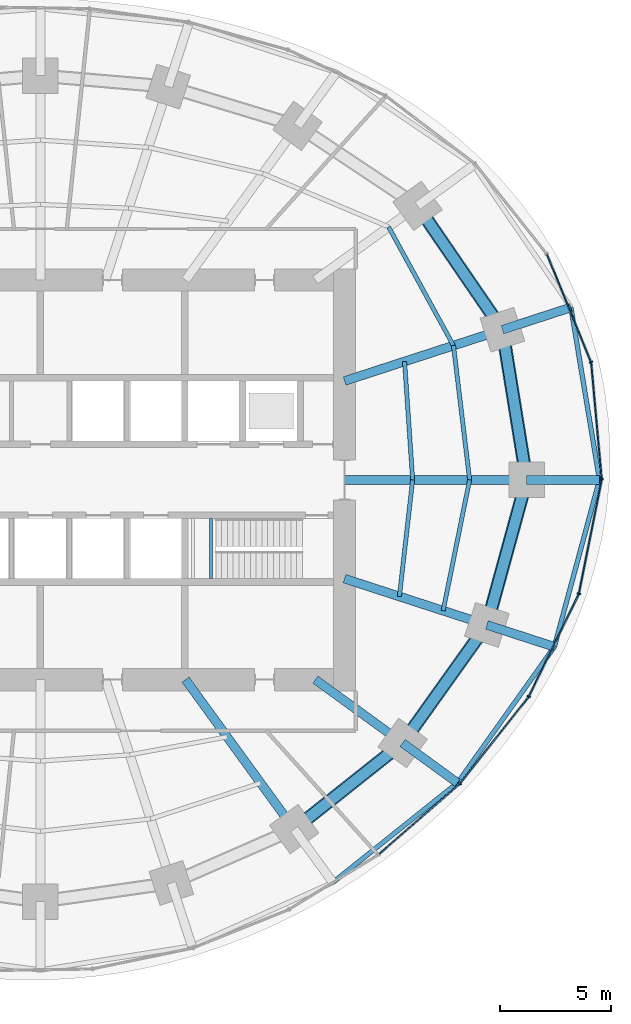
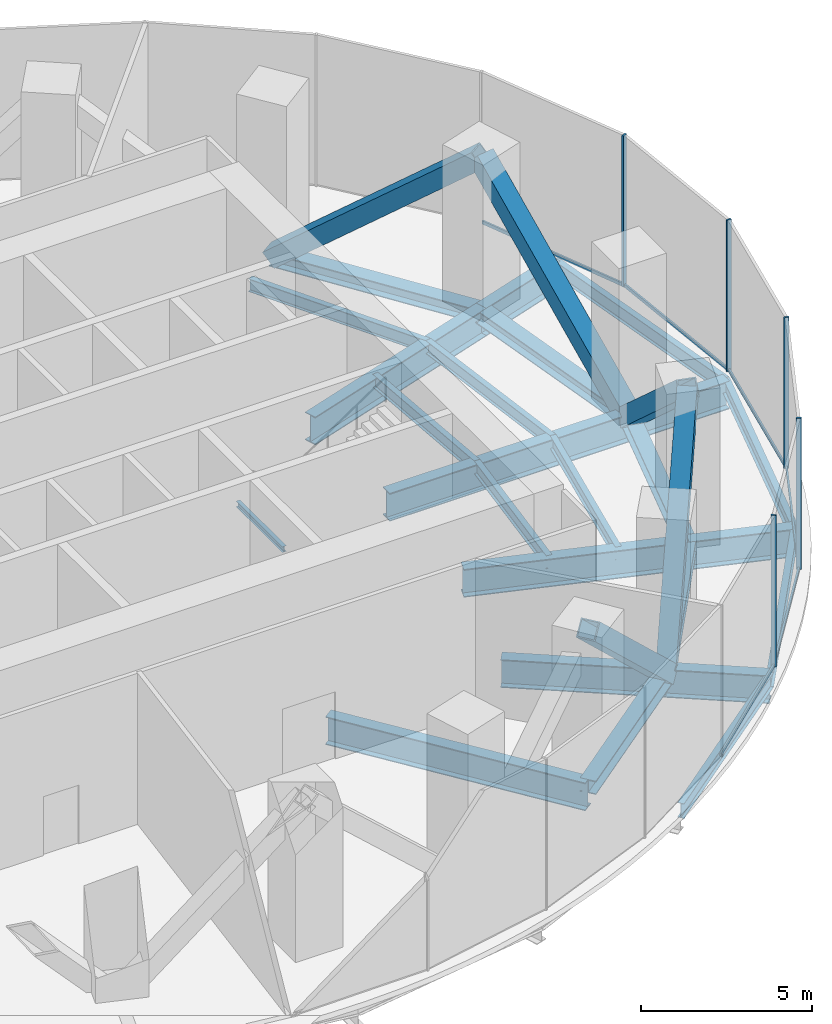
# One storey, part 6 of 14: 21 members, 19 beams, 2 elements without a shape of their own.
"""IFC4 building model written with IfcOpenShell, lengths in metres."""

from ifc_helpers import new_model, si_unit, direction, frame, origin, origin_2d, place, context, subcontext, project, spatial, rectangle, hollow_rectangle, i_section, extrude, material, material_profile, profile_set, type_object, element, aggregate, save


model = new_model("IFC4")

# Units and contexts
model_context = context("Model", 3, precision=1e-05, world=origin(), true_north=direction((0.0, 1.0)))
body_context = subcontext(model_context, "Body", "Model", "MODEL_VIEW")
ifc_project = project(units=[si_unit("LENGTHUNIT", "METRE"), si_unit("AREAUNIT", "SQUARE_METRE"), si_unit("VOLUMEUNIT", "CUBIC_METRE"), si_unit("PLANEANGLEUNIT", "RADIAN"), si_unit("MASSUNIT", "GRAM", prefix="KILO")], contexts=[model_context])

# Site, building, storey
site_placement = place(None, origin())
site = spatial("IfcSite", under=ifc_project, at=site_placement, CompositionType="ELEMENT")
building_placement = place(site_placement, origin())
building = spatial("IfcBuilding", under=site, at=building_placement, Name="Marramba Exchange Tower", CompositionType="ELEMENT")
storey_placement = place(building_placement, frame((0.0, 0.0, 166.5)))
storey = spatial("IfcBuildingStorey", under=building, at=storey_placement, Name="L40", CompositionType="ELEMENT", Elevation=166.5)

# Members
ifc_material_1 = material(Name="Steel AS/NZS 3679.2 grade 300", Category="steel")
ifc_material_profile_1 = material_profile(ifc_material_1, i_section(OverallWidth=0.5, OverallDepth=0.48388671875, WebThickness=0.02490234375, FlangeThickness=0.031982421875, at=origin_2d()), Name="500WC340")
ifc_profile_set_1 = profile_set([ifc_material_profile_1], Name="Steel AS/NZS 3679.2 grade 300")
member_type_1 = type_object("IfcMemberType", Name="Belt truss chord 500WC340", PredefinedType="CHORD", material=ifc_profile_set_1)
member_1_placement = place(storey_placement, frame((21.89990234375, 0.0, -0.44189453125), z_axis=(-0.159384865399, 0.987216523708, 0.0), x_axis=(-0.987216523708, -0.159384865399, 0.0)))
element("IfcMember", 1, at=member_1_placement, inside=storey, type_object=member_type_1, Name="Belt chord L40 TC01-TC02", PredefinedType="CHORD", context=body_context, shape_type="SweptSolid", body=[
    extrude(i_section(OverallWidth=0.5, OverallDepth=0.48388671875, WebThickness=0.02490234375, FlangeThickness=0.031982421875, at=origin_2d()), origin(), (0.0, 0.0, 1.0), 6.8486328125),
])
member_2_placement = place(storey_placement, frame((20.808349609375, 6.760986328125, -0.44189453125), z_axis=(-0.56516002054, 0.824981303535, 0.0), x_axis=(-0.824981303535, -0.56516002054, 0.0)))
element("IfcMember", 2, at=member_2_placement, inside=storey, type_object=member_type_1, Name="Belt chord L40 TC02-TC03", PredefinedType="CHORD", context=body_context, shape_type="SweptSolid", body=[
    extrude(i_section(OverallWidth=0.5, OverallDepth=0.48388671875, WebThickness=0.02490234375, FlangeThickness=0.031982421875, at=origin_2d()), origin(), (0.0, 0.0, 1.0), 6.763671875),
])
member_3_placement = place(storey_placement, frame((11.430419921875, -15.732666015625, -0.44189453125), z_axis=(0.783139438128, 0.621846138887, 0.0), x_axis=(-0.621846138887, 0.783139438128, 0.0)))
element("IfcMember", 3, at=member_3_placement, inside=storey, type_object=member_type_1, Name="Belt chord L40 TC18-TC19", PredefinedType="CHORD", context=body_context, shape_type="SweptSolid", body=[
    extrude(i_section(OverallWidth=0.5, OverallDepth=0.48388671875, WebThickness=0.02490234375, FlangeThickness=0.031982421875, at=origin_2d()), origin(), (0.0, 0.0, 1.0), 6.23779296875),
])
member_4_placement = place(storey_placement, frame((16.3154296875, -11.853759765625, -0.44189453125), z_axis=(0.580637181111, 0.814162430914, 0.0), x_axis=(-0.814162430914, 0.580637181111, 0.0)))
element("IfcMember", 4, at=member_4_placement, inside=storey, type_object=member_type_1, Name="Belt chord L40 TC19-TC20", PredefinedType="CHORD", context=body_context, shape_type="SweptSolid", body=[
    extrude(i_section(OverallWidth=0.5, OverallDepth=0.48388671875, WebThickness=0.02490234375, FlangeThickness=0.031982421875, at=origin_2d()), origin(), (0.0, 0.0, 1.0), 6.5341796875),
])
member_5_placement = place(storey_placement, frame((20.109375, -6.533935546875, -0.44189453125), z_axis=(0.264291166956, 0.964442937176, 0.0), x_axis=(-0.964442937176, 0.264291166956, 0.0)))
element("IfcMember", 5, at=member_5_placement, inside=storey, type_object=member_type_1, Name="Belt chord L40 TC20-TC01", PredefinedType="CHORD", context=body_context, shape_type="SweptSolid", body=[
    extrude(i_section(OverallWidth=0.5, OverallDepth=0.48388671875, WebThickness=0.02490234375, FlangeThickness=0.031982421875, at=origin_2d()), origin(), (0.0, 0.0, 1.0), 6.77490234375),
])
ifc_material_2 = material(Name="Steel AS/NZS 3678 grade 350", Category="steel")
ifc_material_profile_2 = material_profile(ifc_material_2, hollow_rectangle(XDim=0.60009765625, YDim=0.60009765625, WallThickness=0.0400390625, at=origin_2d()), Name="600x600x40BOX")
ifc_profile_set_2 = profile_set([ifc_material_profile_2], Name="Steel AS/NZS 3678 grade 350")
member_type_2 = type_object("IfcMemberType", Name="Belt truss diagonal 600x600x40BOX", PredefinedType="BRACE", material=ifc_profile_set_2)
member_6_placement = place(storey_placement, frame((21.89990234375, 0.0, -0.44189453125), z_axis=(-0.12338791563, 0.764254427988, 0.633001257168), x_axis=(-0.987216523708, -0.159384865399, 0.0)))
element("IfcMember", 6, at=member_6_placement, inside=storey, type_object=member_type_2, Name="Belt truss BT40 diagonal 01", PredefinedType="BRACE", context=body_context, shape_type="SweptSolid", body=[
    extrude(hollow_rectangle(XDim=0.60009765625, YDim=0.60009765625, WallThickness=0.0400390625, at=origin_2d()), origin(), (0.0, 0.0, 1.0), 8.846435546875),
])
member_7_placement = place(storey_placement, frame((20.808349609375, 6.760986328125, 5.157958984375), z_axis=(-0.435320155783, 0.635450096469, -0.63772998743), x_axis=(-0.824981303535, -0.56516002054, 0.0)))
element("IfcMember", 7, at=member_7_placement, inside=storey, type_object=member_type_2, Name="Belt truss BT40 diagonal 02", PredefinedType="BRACE", context=body_context, shape_type="SweptSolid", body=[
    extrude(hollow_rectangle(XDim=0.60009765625, YDim=0.60009765625, WallThickness=0.0400390625, at=origin_2d()), origin(), (0.0, 0.0, 1.0), 8.781005859375),
])
member_8_placement = place(storey_placement, frame((11.430419921875, -15.732666015625, 5.157958984375), z_axis=(0.582757533009, 0.462734353763, -0.668034861043), x_axis=(-0.621846138887, 0.783139438128, 0.0)))
element("IfcMember", 8, at=member_8_placement, inside=storey, type_object=member_type_2, Name="Belt truss BT40 diagonal 18", PredefinedType="BRACE", context=body_context, shape_type="SweptSolid", body=[
    extrude(hollow_rectangle(XDim=0.60009765625, YDim=0.60009765625, WallThickness=0.0400390625, at=origin_2d()), origin(), (0.0, 0.0, 1.0), 8.382568359375),
])
member_9_placement = place(storey_placement, frame((16.3154296875, -11.853759765625, -0.44189453125), z_axis=(0.440879597365, 0.618196037746, 0.650737150885), x_axis=(-0.814162430914, 0.580637181111, 0.0)))
element("IfcMember", 9, at=member_9_placement, inside=storey, type_object=member_type_2, Name="Belt truss BT40 diagonal 19", PredefinedType="BRACE", context=body_context, shape_type="SweptSolid", body=[
    extrude(hollow_rectangle(XDim=0.60009765625, YDim=0.60009765625, WallThickness=0.0400390625, at=origin_2d()), origin(), (0.0, 0.0, 1.0), 8.60546875),
])
member_10_placement = place(storey_placement, frame((20.109375, -6.533935546875, 5.157958984375), z_axis=(0.203710300646, 0.743373162828, -0.637101604297), x_axis=(-0.964442937176, 0.264291166956, 0.0)))
element("IfcMember", 10, at=member_10_placement, inside=storey, type_object=member_type_2, Name="Belt truss BT40 diagonal 20", PredefinedType="BRACE", context=body_context, shape_type="SweptSolid", body=[
    extrude(hollow_rectangle(XDim=0.60009765625, YDim=0.60009765625, WallThickness=0.0400390625, at=origin_2d()), origin(), (0.0, 0.0, 1.0), 8.78955078125),
])

# Beams
ifc_material_profile_3 = material_profile(ifc_material_1, i_section(OverallWidth=0.39990234375, OverallDepth=1.0, WebThickness=0.01611328125, FlangeThickness=0.031982421875, at=origin_2d()), Name="1000WB322")
ifc_profile_set_3 = profile_set([ifc_material_profile_3], Name="Steel AS/NZS 3679.2 grade 300")
beam_type_1 = type_object("IfcBeamType", Name="Cantilever girder 1000WB322", PredefinedType="BEAM", material=ifc_profile_set_3)
beam_1_placement = place(storey_placement, frame((21.89990234375, 0.0, -0.699951171875), z_axis=(1.0, 0.0, 0.0), x_axis=(0.0, 1.0, 0.0)))
element("IfcBeam", 11, at=beam_1_placement, inside=storey, type_object=beam_type_1, Name="Cantilever girder L40 TC01", PredefinedType="BEAM", context=body_context, shape_type="SweptSolid", body=[
    extrude(i_section(OverallWidth=0.39990234375, OverallDepth=1.0, WebThickness=0.01611328125, FlangeThickness=0.031982421875, at=origin_2d()), origin(), (0.0, 0.0, 1.0), 3.281982421875),
])
beam_2_placement = place(storey_placement, frame((20.808349609375, 6.760986328125, -0.699951171875), z_axis=(0.95105562578, 0.309019735087, 0.0), x_axis=(-0.309019735087, 0.95105562578, 0.0)))
element("IfcBeam", 12, at=beam_2_placement, inside=storey, type_object=beam_type_1, Name="Cantilever girder L40 TC02", PredefinedType="BEAM", context=body_context, shape_type="SweptSolid", body=[
    extrude(i_section(OverallWidth=0.39990234375, OverallDepth=1.0, WebThickness=0.01611328125, FlangeThickness=0.031982421875, at=origin_2d()), origin(), (0.0, 0.0, 1.0), 3.24560546875),
])
beam_3_placement = place(storey_placement, frame((16.3154296875, -11.853759765625, -0.699951171875), z_axis=(0.809026231081, -0.587772538847, 0.0), x_axis=(0.587772538847, 0.809026231081, 0.0)))
element("IfcBeam", 13, at=beam_3_placement, inside=storey, type_object=beam_type_1, Name="Cantilever girder L40 TC19", PredefinedType="BEAM", context=body_context, shape_type="SweptSolid", body=[
    extrude(i_section(OverallWidth=0.39990234375, OverallDepth=1.0, WebThickness=0.01611328125, FlangeThickness=0.031982421875, at=origin_2d()), origin(), (0.0, 0.0, 1.0), 3.055419921875),
])
beam_4_placement = place(storey_placement, frame((20.109375, -6.533935546875, -0.699951171875), z_axis=(0.951054839063, -0.309022156318, 0.0), x_axis=(0.309022156318, 0.951054839063, 0.0)))
element("IfcBeam", 14, at=beam_4_placement, inside=storey, type_object=beam_type_1, Name="Cantilever girder L40 TC20", PredefinedType="BEAM", context=body_context, shape_type="SweptSolid", body=[
    extrude(i_section(OverallWidth=0.39990234375, OverallDepth=1.0, WebThickness=0.01611328125, FlangeThickness=0.031982421875, at=origin_2d()), origin(), (0.0, 0.0, 1.0), 3.19580078125),
])
ifc_material_3 = material(Name="Steel AS/NZS 3679.1 grade 300", Category="steel")
ifc_material_profile_4 = material_profile(ifc_material_3, i_section(OverallWidth=0.19091796875, OverallDepth=0.4599609375, WebThickness=0.010009765625, FlangeThickness=0.01611328125, FilletRadius=0.011474609375, at=origin_2d()), Name="460UB82.1")
ifc_profile_set_4 = profile_set([ifc_material_profile_4], Name="Steel AS/NZS 3679.1 grade 300")
beam_type_2 = type_object("IfcBeamType", Name="Floor joist 460UB82.1", PredefinedType="JOIST", material=ifc_profile_set_4)
beam_5_placement = place(storey_placement, frame((16.7666015625, 0.0, -0.429931640625), z_axis=(-0.068096259546, 0.99767875563, 0.0), x_axis=(-0.99767875563, -0.068096259546, 0.0)))
element("IfcBeam", 15, at=beam_5_placement, inside=storey, type_object=beam_type_2, Name="Joist L40 bay 01 row 1", PredefinedType="JOIST", context=body_context, shape_type="SweptSolid", body=[
    extrude(i_section(OverallWidth=0.19091796875, OverallDepth=0.4599609375, WebThickness=0.010009765625, FlangeThickness=0.01611328125, FilletRadius=0.011474609375, at=origin_2d()), origin(), (0.0, 0.0, 1.0), 5.342041015625),
])
beam_6_placement = place(storey_placement, frame((19.333251953125, 0.0, -0.429931640625), z_axis=(-0.119523078538, 0.992831422597, 0.0), x_axis=(-0.992831422597, -0.119523078538, 0.0)))
element("IfcBeam", 16, at=beam_6_placement, inside=storey, type_object=beam_type_2, Name="Joist L40 bay 01 row 2", PredefinedType="JOIST", context=body_context, shape_type="SweptSolid", body=[
    extrude(i_section(OverallWidth=0.19091796875, OverallDepth=0.4599609375, WebThickness=0.010009765625, FlangeThickness=0.01611328125, FilletRadius=0.011474609375, at=origin_2d()), origin(), (0.0, 0.0, 1.0), 6.089111328125),
])
beam_7_placement = place(storey_placement, frame((18.60546875, 6.04541015625, -0.429931640625), z_axis=(-0.479584443791, 0.877495732909, 0.0), x_axis=(-0.877495732909, -0.479584443791, 0.0)))
element("IfcBeam", 17, at=beam_7_placement, inside=storey, type_object=beam_type_2, Name="Joist L40 bay 02 row 2", PredefinedType="JOIST", context=body_context, shape_type="SweptSolid", body=[
    extrude(i_section(OverallWidth=0.19091796875, OverallDepth=0.4599609375, WebThickness=0.010009765625, FlangeThickness=0.01611328125, FilletRadius=0.011474609375, at=origin_2d()), origin(), (0.0, 0.0, 1.0), 6.094970703125),
])
beam_8_placement = place(storey_placement, frame((16.169677734375, -5.25390625, -0.429931640625), z_axis=(0.112888968594, 0.993607609054, 0.0), x_axis=(-0.993607609054, 0.112888968594, 0.0)))
element("IfcBeam", 18, at=beam_8_placement, inside=storey, type_object=beam_type_2, Name="Joist L40 bay 20 row 1", PredefinedType="JOIST", context=body_context, shape_type="SweptSolid", body=[
    extrude(i_section(OverallWidth=0.19091796875, OverallDepth=0.4599609375, WebThickness=0.010009765625, FlangeThickness=0.01611328125, FilletRadius=0.011474609375, at=origin_2d()), origin(), (0.0, 0.0, 1.0), 5.28759765625),
])
beam_9_placement = place(storey_placement, frame((18.1396484375, -5.893798828125, -0.429931640625), z_axis=(0.198489047047, 0.980103105904, 0.0), x_axis=(-0.980103105904, 0.198489047047, 0.0)))
element("IfcBeam", 19, at=beam_9_placement, inside=storey, type_object=beam_type_2, Name="Joist L40 bay 20 row 2", PredefinedType="JOIST", context=body_context, shape_type="SweptSolid", body=[
    extrude(i_section(OverallWidth=0.19091796875, OverallDepth=0.4599609375, WebThickness=0.010009765625, FlangeThickness=0.01611328125, FilletRadius=0.011474609375, at=origin_2d()), origin(), (0.0, 0.0, 1.0), 6.013427734375),
])

# Curtain wall, members
ifc_material_4 = material(Name="Aluminium framing, bronze anodised", Category="aluminium")
curtain_wall_type = type_object("IfcCurtainWallType", Name="Plant floor louvred curtain wall", PredefinedType="USERDEFINED", material=ifc_material_4)
curtain_wall_1_placement = place(storey_placement, origin())
curtain_wall_1 = element("IfcCurtainWall", 20, at=curtain_wall_1_placement, inside=storey, type_object=curtain_wall_type, Name="Curtain wall CW6 L40 F01-F05", ObjectType="RIBBON CURTAIN WALL", PredefinedType="USERDEFINED")
ifc_material_5 = material(Name="Aluminium mullion, bronze anodised", Category="aluminium")
ifc_material_profile_5 = material_profile(ifc_material_5, rectangle(XDim=0.159912109375, YDim=0.06005859375, at=origin_2d()), Name="CW6 mullion 60x160")
ifc_profile_set_5 = profile_set([ifc_material_profile_5], Name="Aluminium mullion, bronze anodised")
member_type_3 = type_object("IfcMemberType", Name="Plant floor louvred curtain wall mullion", PredefinedType="MULLION", material=ifc_profile_set_5)
member_11_placement = place(storey_placement, frame((25.279296875, 0.02978515625, 0.0), z_axis=(0.0, 0.0, 1.0), x_axis=(-0.995994646311, -0.089412887889, 0.0)))
member_11 = element("IfcMember", 21, at=member_11_placement, type_object=member_type_3, Name="CW6 mullion 1", PredefinedType="MULLION", context=body_context, shape_type="SweptSolid", body=[
    extrude(rectangle(XDim=0.159912109375, YDim=0.06005859375, at=origin_2d()), origin(), (0.0, 0.0, 1.0), 5.39990234375),
])
member_12_placement = place(storey_placement, frame((24.79736328125, 5.301025390625, 0.0), z_axis=(0.0, 0.0, 1.0), x_axis=(-0.925878584668, -0.377821183171, 0.0)))
member_12 = element("IfcMember", 22, at=member_12_placement, type_object=member_type_3, Name="CW6 mullion 1", PredefinedType="MULLION", context=body_context, shape_type="SweptSolid", body=[
    extrude(rectangle(XDim=0.159912109375, YDim=0.06005859375, at=origin_2d()), origin(), (0.0, 0.0, 1.0), 5.39990234375),
])

curtain_wall_2_placement = place(storey_placement, origin())
curtain_wall_2 = element("IfcCurtainWall", 23, at=curtain_wall_2_placement, inside=storey, type_object=curtain_wall_type, Name="Curtain wall CW6 L40 F26-F30", ObjectType="RIBBON CURTAIN WALL", PredefinedType="USERDEFINED")
member_13_placement = place(storey_placement, frame((18.886962890625, -13.68505859375, 0.0), z_axis=(0.0, 0.0, 1.0), x_axis=(-0.783170139469, 0.621807472329, 0.0)))
member_13 = element("IfcMember", 24, at=member_13_placement, type_object=member_type_3, Name="CW6 mullion 1", PredefinedType="MULLION", context=body_context, shape_type="SweptSolid", body=[
    extrude(rectangle(XDim=0.159912109375, YDim=0.06005859375, at=origin_2d()), origin(), (0.0, 0.0, 1.0), 5.39990234375),
])
member_14_placement = place(storey_placement, frame((21.994873046875, -9.760009765625, 0.0), z_axis=(0.0, 0.0, 1.0), x_axis=(-0.89844486976, 0.439086342308, 0.0)))
member_14 = element("IfcMember", 25, at=member_14_placement, type_object=member_type_3, Name="CW6 mullion 1", PredefinedType="MULLION", context=body_context, shape_type="SweptSolid", body=[
    extrude(rectangle(XDim=0.159912109375, YDim=0.06005859375, at=origin_2d()), origin(), (0.0, 0.0, 1.0), 5.39990234375),
])
member_15_placement = place(storey_placement, frame((24.252197265625, -5.124267578125, 0.0), z_axis=(0.0, 0.0, 1.0), x_axis=(-0.980393739376, 0.197048511267, 0.0)))
member_15 = element("IfcMember", 26, at=member_15_placement, type_object=member_type_3, Name="CW6 mullion 1", PredefinedType="MULLION", context=body_context, shape_type="SweptSolid", body=[
    extrude(rectangle(XDim=0.159912109375, YDim=0.06005859375, at=origin_2d()), origin(), (0.0, 0.0, 1.0), 5.39990234375),
])

# Member
ifc_material_6 = material(Name="Aluminium transom, bronze anodised", Category="aluminium")
ifc_material_profile_6 = material_profile(ifc_material_6, rectangle(XDim=0.06005859375, YDim=0.1201171875, at=origin_2d()), Name="CW6 transom 60x120")
ifc_profile_set_6 = profile_set([ifc_material_profile_6], Name="Aluminium transom, bronze anodised")
member_type_4 = type_object("IfcMemberType", Name="Plant floor louvred curtain wall transom", PredefinedType="USERDEFINED", material=ifc_profile_set_6)
member_16_placement = place(storey_placement, frame((25.276611328125, 0.059814453125, 0.030029296875), z_axis=(-0.089412838135, 0.995994650777, 0.0), x_axis=(-0.995994650777, -0.089412838135, 0.0)))
member_16 = element("IfcMember", 27, at=member_16_placement, type_object=member_type_4, Name="CW6 sill transom", ObjectType="TRANSOM", PredefinedType="USERDEFINED", context=body_context, shape_type="SweptSolid", body=[
    extrude(rectangle(XDim=0.06005859375, YDim=0.1201171875, at=origin_2d()), origin(), (0.0, 0.0, 1.0), 5.234375),
])

member_17_placement = place(storey_placement, frame((24.785888671875, 5.328857421875, 0.030029296875), z_axis=(-0.377838039034, 0.925871706155, 0.0), x_axis=(-0.925871706155, -0.377838039034, 0.0)))
member_17 = element("IfcMember", 28, at=member_17_placement, type_object=member_type_4, Name="CW6 sill transom", ObjectType="TRANSOM", PredefinedType="USERDEFINED", context=body_context, shape_type="SweptSolid", body=[
    extrude(rectangle(XDim=0.06005859375, YDim=0.1201171875, at=origin_2d()), origin(), (0.0, 0.0, 1.0), 5.2158203125),
])

aggregate(curtain_wall_1, [member_11, member_16, member_12, member_17])

member_18_placement = place(storey_placement, frame((15.2548828125, -16.8525390625, 0.030029296875), z_axis=(0.754392594189, 0.65642350189, 0.0), x_axis=(-0.65642350189, 0.754392594189, 0.0)))
member_18 = element("IfcMember", 29, at=member_18_placement, type_object=member_type_4, Name="CW6 sill transom", ObjectType="TRANSOM", PredefinedType="USERDEFINED", context=body_context, shape_type="SweptSolid", body=[
    extrude(rectangle(XDim=0.06005859375, YDim=0.1201171875, at=origin_2d()), origin(), (0.0, 0.0, 1.0), 4.78955078125),
])

member_19_placement = place(storey_placement, frame((18.905517578125, -13.66162109375, 0.030029296875), z_axis=(0.621777997945, 0.783193540111, 0.0), x_axis=(-0.783193540111, 0.621777997945, 0.0)))
member_19 = element("IfcMember", 30, at=member_19_placement, type_object=member_type_4, Name="CW6 sill transom", ObjectType="TRANSOM", PredefinedType="USERDEFINED", context=body_context, shape_type="SweptSolid", body=[
    extrude(rectangle(XDim=0.06005859375, YDim=0.1201171875, at=origin_2d()), origin(), (0.0, 0.0, 1.0), 4.947265625),
])

member_20_placement = place(storey_placement, frame((22.008056640625, -9.73291015625, 0.030029296875), z_axis=(0.439090714557, 0.898442732949, 0.0), x_axis=(-0.898442732949, 0.439090714557, 0.0)))
member_20 = element("IfcMember", 31, at=member_20_placement, type_object=member_type_4, Name="CW6 sill transom", ObjectType="TRANSOM", PredefinedType="USERDEFINED", context=body_context, shape_type="SweptSolid", body=[
    extrude(rectangle(XDim=0.06005859375, YDim=0.1201171875, at=origin_2d()), origin(), (0.0, 0.0, 1.0), 5.096923828125),
])

member_21_placement = place(storey_placement, frame((24.258056640625, -5.094970703125, 0.030029296875), z_axis=(0.197028520451, 0.980397757101, 0.0), x_axis=(-0.980397757101, 0.197028520451, 0.0)))
member_21 = element("IfcMember", 32, at=member_21_placement, type_object=member_type_4, Name="CW6 sill transom", ObjectType="TRANSOM", PredefinedType="USERDEFINED", context=body_context, shape_type="SweptSolid", body=[
    extrude(rectangle(XDim=0.06005859375, YDim=0.1201171875, at=origin_2d()), origin(), (0.0, 0.0, 1.0), 5.19677734375),
])

aggregate(curtain_wall_2, [member_18, member_13, member_19, member_14, member_20, member_15, member_21])

# Beams
ifc_material_profile_7 = material_profile(ifc_material_1, i_section(OverallWidth=0.39990234375, OverallDepth=1.0, WebThickness=0.01611328125, FlangeThickness=0.031982421875, at=origin_2d()), Name="1000WB322")
ifc_profile_set_7 = profile_set([ifc_material_profile_7], Name="Steel AS/NZS 3679.2 grade 300")
beam_type_3 = type_object("IfcBeamType", Name="Radial girder 1000WB322", PredefinedType="BEAM", material=ifc_profile_set_7)
beam_10_placement = place(storey_placement, frame((13.699951171875, 0.0, -0.699951171875), z_axis=(1.0, 0.0, 0.0), x_axis=(0.0, 1.0, 0.0)))
element("IfcBeam", 33, at=beam_10_placement, inside=storey, type_object=beam_type_3, Name="Radial girder L40 TC01", PredefinedType="BEAM", context=body_context, shape_type="SweptSolid", body=[
    extrude(i_section(OverallWidth=0.39990234375, OverallDepth=1.0, WebThickness=0.01611328125, FlangeThickness=0.031982421875, at=origin_2d()), origin(), (0.0, 0.0, 1.0), 8.199951171875),
])
beam_11_placement = place(storey_placement, frame((13.699951171875, 4.451416015625, -0.699951171875), z_axis=(0.951059990189, 0.309006302624, 0.0), x_axis=(-0.309006302624, 0.951059990189, 0.0)))
element("IfcBeam", 34, at=beam_11_placement, inside=storey, type_object=beam_type_3, Name="Radial girder L40 TC02", PredefinedType="BEAM", context=body_context, shape_type="SweptSolid", body=[
    extrude(i_section(OverallWidth=0.39990234375, OverallDepth=1.0, WebThickness=0.01611328125, FlangeThickness=0.031982421875, at=origin_2d()), origin(), (0.0, 0.0, 1.0), 7.47412109375),
])
beam_12_placement = place(storey_placement, frame((6.538818359375, -9.0, -0.699951171875), z_axis=(0.587787877172, -0.809015087282, 0.0), x_axis=(0.809015087282, 0.587787877172, 0.0)))
element("IfcBeam", 35, at=beam_12_placement, inside=storey, type_object=beam_type_3, Name="Radial girder L40 TC18", PredefinedType="BEAM", context=body_context, shape_type="SweptSolid", body=[
    extrude(i_section(OverallWidth=0.39990234375, OverallDepth=1.0, WebThickness=0.01611328125, FlangeThickness=0.031982421875, at=origin_2d()), origin(), (0.0, 0.0, 1.0), 8.322021484375),
])
beam_13_placement = place(storey_placement, frame((12.387451171875, -9.0, -0.699951171875), z_axis=(0.809025189606, -0.58777397236, 0.0), x_axis=(0.58777397236, 0.809025189606, 0.0)))
element("IfcBeam", 36, at=beam_13_placement, inside=storey, type_object=beam_type_3, Name="Radial girder L40 TC19", PredefinedType="BEAM", context=body_context, shape_type="SweptSolid", body=[
    extrude(i_section(OverallWidth=0.39990234375, OverallDepth=1.0, WebThickness=0.01611328125, FlangeThickness=0.031982421875, at=origin_2d()), origin(), (0.0, 0.0, 1.0), 4.855224609375),
])
beam_14_placement = place(storey_placement, frame((13.699951171875, -4.451416015625, -0.699951171875), z_axis=(0.951057759669, -0.309013167637, 0.0), x_axis=(0.309013167637, 0.951057759669, 0.0)))
element("IfcBeam", 37, at=beam_14_placement, inside=storey, type_object=beam_type_3, Name="Radial girder L40 TC20", PredefinedType="BEAM", context=body_context, shape_type="SweptSolid", body=[
    extrude(i_section(OverallWidth=0.39990234375, OverallDepth=1.0, WebThickness=0.01611328125, FlangeThickness=0.031982421875, at=origin_2d()), origin(), (0.0, 0.0, 1.0), 6.7392578125),
])
ifc_material_profile_8 = material_profile(ifc_material_3, i_section(OverallWidth=0.208984375, OverallDepth=0.528076171875, WebThickness=0.009521484375, FlangeThickness=0.01318359375, FilletRadius=0.013916015625, at=origin_2d()), Name="530UB82.0")
ifc_profile_set_8 = profile_set([ifc_material_profile_8], Name="Steel AS/NZS 3679.1 grade 300")
beam_type_4 = type_object("IfcBeamType", Name="Slab edge beam 530UB82.0", PredefinedType="SPANDREL", material=ifc_profile_set_8)
beam_15_placement = place(storey_placement, frame((25.181884765625, 0.0, -0.464111328125), z_axis=(-0.163518559175, 0.986540258076, 0.0), x_axis=(-0.986540258076, -0.163518559175, 0.0)))
element("IfcBeam", 38, at=beam_15_placement, inside=storey, type_object=beam_type_4, Name="Slab edge beam L40 TC01-TC02", PredefinedType="SPANDREL", context=body_context, shape_type="SweptSolid", body=[
    extrude(i_section(OverallWidth=0.208984375, OverallDepth=0.528076171875, WebThickness=0.009521484375, FlangeThickness=0.01318359375, FilletRadius=0.013916015625, at=origin_2d()), origin(), (0.0, 0.0, 1.0), 7.869873046875),
])
beam_16_placement = place(storey_placement, frame((13.1748046875, -18.133544921875, -0.464111328125), z_axis=(0.781286404457, 0.624172695822, 0.0), x_axis=(-0.624172695822, 0.781286404457, 0.0)))
element("IfcBeam", 39, at=beam_16_placement, inside=storey, type_object=beam_type_4, Name="Slab edge beam L40 TC18-TC19", PredefinedType="SPANDREL", context=body_context, shape_type="SweptSolid", body=[
    extrude(i_section(OverallWidth=0.208984375, OverallDepth=0.528076171875, WebThickness=0.009521484375, FlangeThickness=0.01318359375, FilletRadius=0.013916015625, at=origin_2d()), origin(), (0.0, 0.0, 1.0), 7.183837890625),
])
beam_17_placement = place(storey_placement, frame((18.787353515625, -13.649658203125, -0.464111328125), z_axis=(0.579834168245, 0.814734519543, 0.0), x_axis=(-0.814734519543, 0.579834168245, 0.0)))
element("IfcBeam", 40, at=beam_17_placement, inside=storey, type_object=beam_type_4, Name="Slab edge beam L40 TC19-TC20", PredefinedType="SPANDREL", context=body_context, shape_type="SweptSolid", body=[
    extrude(i_section(OverallWidth=0.208984375, OverallDepth=0.528076171875, WebThickness=0.009521484375, FlangeThickness=0.01318359375, FilletRadius=0.013916015625, at=origin_2d()), origin(), (0.0, 0.0, 1.0), 7.521728515625),
])
beam_18_placement = place(storey_placement, frame((23.148681640625, -7.521484375, -0.464111328125), z_axis=(0.260953221575, 0.965351446961, 0.0), x_axis=(-0.965351446961, 0.260953221575, 0.0)))
element("IfcBeam", 41, at=beam_18_placement, inside=storey, type_object=beam_type_4, Name="Slab edge beam L40 TC20-TC01", PredefinedType="SPANDREL", context=body_context, shape_type="SweptSolid", body=[
    extrude(i_section(OverallWidth=0.208984375, OverallDepth=0.528076171875, WebThickness=0.009521484375, FlangeThickness=0.01318359375, FilletRadius=0.013916015625, at=origin_2d()), origin(), (0.0, 0.0, 1.0), 7.79150390625),
])
ifc_material_profile_9 = material_profile(ifc_material_3, i_section(OverallWidth=0.133056640625, OverallDepth=0.202880859375, WebThickness=0.005859375, FlangeThickness=0.0078125, FilletRadius=0.0087890625, at=origin_2d()), Name="200UB25.4")
ifc_profile_set_9 = profile_set([ifc_material_profile_9], Name="Steel AS/NZS 3679.1 grade 300")
beam_type_5 = type_object("IfcBeamType", Name="Stair landing beam 200UB25.4", PredefinedType="BEAM", material=ifc_profile_set_9)
beam_19_placement = place(storey_placement, frame((7.68359375, -4.449951171875, 2.49853515625), z_axis=(0.0, 1.0, 0.0), x_axis=(-1.0, 0.0, 0.0)))
element("IfcBeam", 42, at=beam_19_placement, inside=storey, type_object=beam_type_5, Name="Stair landing beam SLB1 ST2 L40 2", PredefinedType="BEAM", context=body_context, shape_type="SweptSolid", body=[
    extrude(i_section(OverallWidth=0.133056640625, OverallDepth=0.202880859375, WebThickness=0.005859375, FlangeThickness=0.0078125, FilletRadius=0.0087890625, at=origin_2d()), origin(), (0.0, 0.0, 1.0), 2.699951171875),
])

save(model, "model.ifc")
